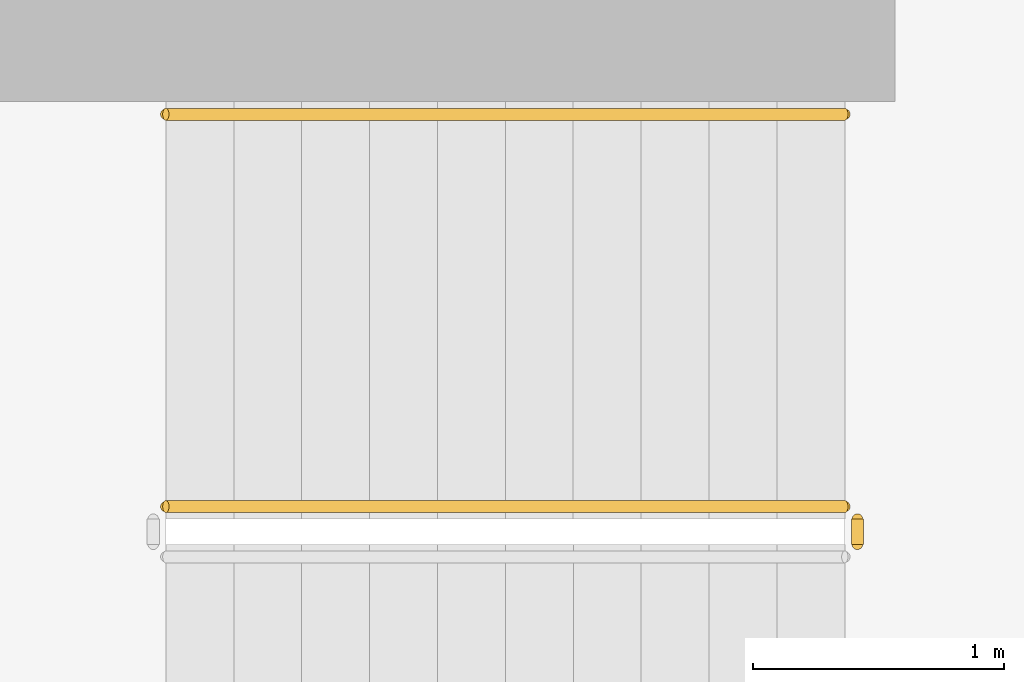
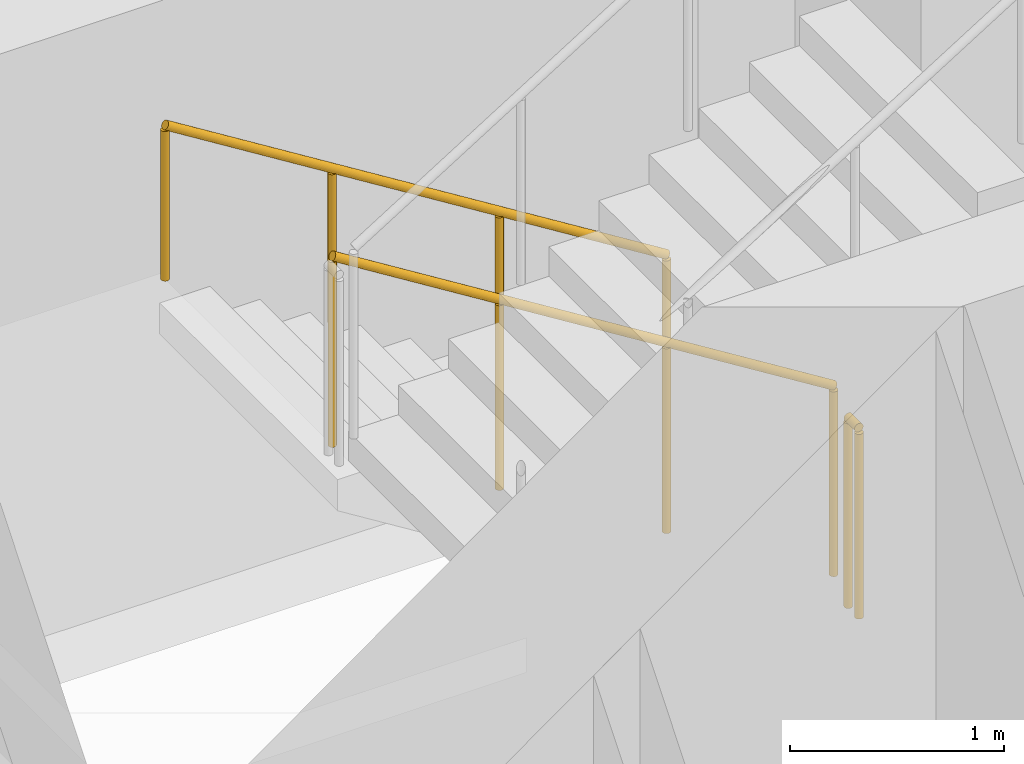
# One storey, part 15 of 16: 3 railings.
"""IFC4 building model written with IfcOpenShell, lengths in metres."""

import ifcopenshell
import ifcopenshell.guid

model = None  # the IFC model being written
_history = None  # IfcOwnerHistory: only IFC2X3 demands one
_inside = {}  # id of a spatial element -> (the spatial element, [elements in it])
_under = {}  # id of a project, library or spatial element -> (it, [spatial elements below it])
_declared = {}  # id of a project -> (the project, [libraries it declares])
_typed = {}  # id of a type object -> (the type object, [elements of that type])
_made_of = {}  # id of a material, layer set ... -> (it, [elements and type objects made of it])


def new_model(schema):
    """Start an empty IFC model of exactly this schema.

    Asked for "IFC4X3", IfcOpenShell would pick the latest addendum, in which some entities
    have other attributes; the version numbers below select the first issue.
    IFC2X3 requires an IfcOwnerHistory on every rooted entity: one is made here for all.
    """
    global model, _history
    if schema == "IFC4X3":
        model = ifcopenshell.file(schema_version=(4, 3, 0, 0))
    else:
        model = ifcopenshell.file(schema=schema)
    _inside.clear()
    _under.clear()
    _declared.clear()
    _typed.clear()
    _made_of.clear()
    _history = None
    if model.schema == "IFC2X3":
        org = make("IfcOrganization", Name="unknown")
        user = make(
            "IfcPersonAndOrganization",
            ThePerson=make("IfcPerson", FamilyName="unknown"),
            TheOrganization=org,
        )
        app = make(
            "IfcApplication",
            ApplicationDeveloper=org,
            Version="unknown",
            ApplicationFullName="unknown",
            ApplicationIdentifier="unknown",
        )
        _history = make(
            "IfcOwnerHistory",
            OwningUser=user,
            OwningApplication=app,
            ChangeAction="ADDED",
            CreationDate=0,
        )
    return model


def make(cls, **values):
    """One entity of the class cls with the attributes given. An attribute that is None is left unset."""
    return model.create_entity(
        cls, **{name: value for name, value in values.items() if value is not None}
    )


def rooted(cls, **values):
    """An entity with a GlobalId (a new one), such as an element, a storey or a relation."""
    return make(cls, GlobalId=ifcopenshell.guid.new(), OwnerHistory=_history, **values)


def si_unit(unit_type, name, prefix=None):
    """IfcSIUnit, for example si_unit("LENGTHUNIT", "METRE", prefix="MILLI")."""
    return make("IfcSIUnit", UnitType=unit_type, Prefix=prefix, Name=name)


def assignment(units):
    """IfcUnitAssignment: the units of a project."""
    return None if units is None else make("IfcUnitAssignment", Units=units)


def point(xyz):
    """IfcCartesianPoint."""
    return None if xyz is None else make("IfcCartesianPoint", Coordinates=xyz)


def direction(xyz):
    """IfcDirection."""
    return None if xyz is None else make("IfcDirection", DirectionRatios=xyz)


def frame(location, z_axis=None, x_axis=None):
    """IfcAxis2Placement3D, a coordinate frame: its origin and axes. An axis left out is left unset."""
    return make(
        "IfcAxis2Placement3D",
        Location=point(location),
        Axis=direction(z_axis),
        RefDirection=direction(x_axis),
    )


def frame_2d(location, x_axis=None):
    """IfcAxis2Placement2D, a coordinate frame in the plane: its origin and x axis."""
    return make(
        "IfcAxis2Placement2D", Location=point(location), RefDirection=direction(x_axis)
    )


def origin():
    """The frame at (0, 0, 0) with its axes left unset."""
    return frame((0.0, 0.0, 0.0))


def origin_2d():
    """The frame at (0, 0) in the plane with its x axis left unset."""
    return frame_2d((0.0, 0.0))


def place(relative_to, where):
    """IfcLocalPlacement: puts the frame where relative to a parent placement (None: the world)."""
    return make(
        "IfcLocalPlacement", PlacementRelTo=relative_to, RelativePlacement=where
    )


def context(
    kind, dimensions, precision=None, world=None, true_north=None, identifier=None
):
    """IfcGeometricRepresentationContext, for example the 3D "Model" context."""
    return make(
        "IfcGeometricRepresentationContext",
        ContextIdentifier=identifier,
        ContextType=kind,
        CoordinateSpaceDimension=dimensions,
        Precision=precision,
        WorldCoordinateSystem=world,
        TrueNorth=true_north,
    )


def subcontext(parent, identifier, kind, view, scale=None):
    """IfcGeometricRepresentationSubContext, for example "Body" below "Model"."""
    return make(
        "IfcGeometricRepresentationSubContext",
        ContextIdentifier=identifier,
        ContextType=kind,
        ParentContext=parent,
        TargetScale=scale,
        TargetView=view,
    )


def project(units=None, contexts=None):
    """IfcProject with its units and contexts."""
    return rooted(
        "IfcProject",
        Name="project",
        RepresentationContexts=contexts,
        UnitsInContext=assignment(units),
    )


def spatial(cls, under=None, at=None, **own):
    """A site, building, storey or space (cls), placed at a placement, below another one or the project."""
    s = rooted(cls, ObjectPlacement=at, **own)
    if under is not None:
        _under.setdefault(under.id(), (under, []))[1].append(s)
    return s


def profile(cls, at=None, kind="AREA", **sizes):
    """A parametric profile (cls). Its sizes go by their IFC names, for example OverallWidth=200.0."""
    return make(cls, ProfileType=kind, Position=at, **sizes)


def circle(**sizes):
    """IfcCircleProfileDef."""
    return profile("IfcCircleProfileDef", **sizes)


def extrude(swept, where, along, depth):
    """IfcExtrudedAreaSolid: the profile swept, set in the frame where, extruded along a direction by depth."""
    return make(
        "IfcExtrudedAreaSolid",
        SweptArea=swept,
        Position=where,
        ExtrudedDirection=direction(along),
        Depth=depth,
    )


def shape(context_of_items, identifier, shape_type, items):
    """IfcShapeRepresentation: the items that make up one representation, for example the "Body"."""
    return make(
        "IfcShapeRepresentation",
        ContextOfItems=context_of_items,
        RepresentationIdentifier=identifier,
        RepresentationType=shape_type,
        Items=items,
    )


def material(Name=None, Category=None):
    """IfcMaterial."""
    return make("IfcMaterial", Name=Name, Category=Category)


def made_of(thing, what):
    """Note that an element or type object is made of a material, layer set ...; save() writes the relation."""
    if what is not None:
        _made_of.setdefault(what.id(), (what, []))[1].append(thing)
    return thing


def type_object(cls, material=None, **own):
    """A type object (cls), such as IfcWallType, which elements share."""
    return made_of(rooted(cls, **own), material)


def element(
    cls,
    number,
    at=None,
    inside=None,
    cuts=None,
    type_object=None,
    material=None,
    context=None,
    identifier="Body",
    shape_type=None,
    held_by="IfcProductDefinitionShape",
    body=None,
    shapes=None,
    **own,
):
    """One element of the class cls, such as IfcWall. Its Tag is "e" and its number.

    at: its placement. inside: the storey or other place that contains it. cuts: it is an
    opening in that element (IfcRelVoidsElement). A single representation is given by context,
    identifier, shape_type and body (its items); several are given by shapes. held_by: the class
    of the entity that holds the representations. save() writes the other relations.
    """
    e = rooted(cls, Tag="e%d" % number, ObjectPlacement=at, **own)
    if body is not None:
        shapes = [shape(context, identifier, shape_type, body)]
    if shapes is not None:
        e.Representation = make(held_by, Representations=shapes)
    if inside is not None:
        _inside.setdefault(inside.id(), (inside, []))[1].append(e)
    if cuts is not None:
        rooted(
            "IfcRelVoidsElement", RelatingBuildingElement=cuts, RelatedOpeningElement=e
        )
    if type_object is not None:
        _typed.setdefault(type_object.id(), (type_object, []))[1].append(e)
    return made_of(e, material)


def aggregate(whole, parts):
    """IfcRelAggregates: a whole, such as a stair, and the parts it consists of."""
    return rooted("IfcRelAggregates", RelatingObject=whole, RelatedObjects=parts)


def save(model, path):
    """Write the relations noted so far, then the file.

    IfcRelAggregates (storeys below a building ...), IfcRelContainedInSpatialStructure (elements
    in a storey), IfcRelDefinesByType, IfcRelAssociatesMaterial and IfcRelDeclares: one each for
    every whole, place, type object, material and project.
    """
    for whole, parts in _under.values():
        aggregate(whole, parts)
    for where, things in _inside.values():
        rooted(
            "IfcRelContainedInSpatialStructure",
            RelatedElements=things,
            RelatingStructure=where,
        )
    for kind, things in _typed.values():
        rooted("IfcRelDefinesByType", RelatedObjects=things, RelatingType=kind)
    for what, things in _made_of.values():
        rooted("IfcRelAssociatesMaterial", RelatedObjects=things, RelatingMaterial=what)
    for by, libraries in _declared.values():
        rooted("IfcRelDeclares", RelatingContext=by, RelatedDefinitions=libraries)
    model.write(path)


model = new_model("IFC4")

# Units and contexts
model_context = context("Model", 3, precision=1e-05, world=origin(), true_north=direction((0.0, 1.0)))
body_context = subcontext(model_context, "Body", "Model", "MODEL_VIEW")
ifc_project = project(units=[si_unit("LENGTHUNIT", "METRE"), si_unit("AREAUNIT", "SQUARE_METRE"), si_unit("VOLUMEUNIT", "CUBIC_METRE"), si_unit("PLANEANGLEUNIT", "RADIAN"), si_unit("MASSUNIT", "GRAM", prefix="KILO")], contexts=[model_context])

# Site, building, storey
site_placement = place(None, origin())
site = spatial("IfcSite", under=ifc_project, at=site_placement, CompositionType="ELEMENT")
building_placement = place(site_placement, origin())
building = spatial("IfcBuilding", under=site, at=building_placement, Name="Vermilion Reach Broadcast Tower", CompositionType="ELEMENT")
storey_placement = place(building_placement, frame((0.0, 0.0, 61.89990234375)))
storey = spatial("IfcBuildingStorey", under=building, at=storey_placement, Name="L12", CompositionType="ELEMENT", Elevation=61.89990234375)

# Railings
ifc_material_1 = material(Name="Stainless steel", Category="steel")
railing_type_1 = type_object("IfcRailingType", Name="Stair guard 1100", PredefinedType="GUARDRAIL", material=ifc_material_1)
railing_1_placement = place(storey_placement, frame((-1.0, 5.68994140625, 0.168212890625)))
element("IfcRailing", 1, at=railing_1_placement, inside=storey, type_object=railing_type_1, Name="L12 ST2 stair guard 1", PredefinedType="GUARDRAIL", context=body_context, shape_type="SweptSolid", body=[
    extrude(circle(Radius=0.02392578125, at=origin_2d()), frame((0.0, 0.0, 1.076171875), z_axis=(-0.848786430784, 0.0, 0.528735846068), x_axis=(0.0, -1.0, 0.0)), (0.0, 0.0, 1.0), 3.180908203125),
    extrude(circle(Radius=0.02099609375, at=origin_2d()), origin(), (0.0, 0.0, 1.0), 1.052001953125),
    extrude(circle(Radius=0.02099609375, at=origin_2d()), frame((-0.89990234375, 0.0, 0.560546875)), (0.0, 0.0, 1.0), 1.052001953125),
    extrude(circle(Radius=0.02099609375, at=origin_2d()), frame((-1.800048828125, 0.0, 1.121337890625)), (0.0, 0.0, 1.0), 1.052001953125),
    extrude(circle(Radius=0.02099609375, at=origin_2d()), frame((-2.699951171875, 0.0, 1.681884765625)), (0.0, 0.0, 1.0), 1.052001953125),
])
railing_2_placement = place(storey_placement, frame((-0.949951171875, 5.639892578125, 0.0)))
element("IfcRailing", 2, at=railing_2_placement, inside=storey, type_object=railing_type_1, Name="L12 ST2 stair guard 4", PredefinedType="GUARDRAIL", context=body_context, shape_type="SweptSolid", body=[
    extrude(circle(Radius=0.02392578125, at=origin_2d()), frame((0.0, 0.0, 1.076171875), z_axis=(0.0, -1.0, 0.0), x_axis=(1.0, 0.0, 0.0)), (0.0, 0.0, 1.0), 0.099853515625),
    extrude(circle(Radius=0.02099609375, at=origin_2d()), origin(), (0.0, 0.0, 1.0), 1.052001953125),
    extrude(circle(Radius=0.02099609375, at=origin_2d()), frame((0.0, -0.099853515625, 0.0)), (0.0, 0.0, 1.0), 1.052001953125),
])
ifc_material_2 = material(Name="Stainless steel", Category="steel")
railing_type_2 = type_object("IfcRailingType", Name="Stair handrail", PredefinedType="HANDRAIL", material=ifc_material_2)
railing_3_placement = place(storey_placement, frame((-1.0, 7.25, 0.168212890625)))
element("IfcRailing", 3, at=railing_3_placement, inside=storey, type_object=railing_type_2, Name="L12 ST2 stair handrail 1", PredefinedType="HANDRAIL", context=body_context, shape_type="SweptSolid", body=[
    extrude(circle(Radius=0.02392578125, at=origin_2d()), frame((0.0, 0.0, 0.8759765625), z_axis=(-0.848786430784, 0.0, 0.528735846068), x_axis=(0.0, -1.0, 0.0)), (0.0, 0.0, 1.0), 3.180908203125),
    extrude(circle(Radius=0.02099609375, at=origin_2d()), origin(), (0.0, 0.0, 1.0), 0.851806640625),
    extrude(circle(Radius=0.02099609375, at=origin_2d()), frame((-0.89990234375, 0.0, 0.560546875)), (0.0, 0.0, 1.0), 0.851806640625),
    extrude(circle(Radius=0.02099609375, at=origin_2d()), frame((-1.800048828125, 0.0, 1.121337890625)), (0.0, 0.0, 1.0), 0.851806640625),
    extrude(circle(Radius=0.02099609375, at=origin_2d()), frame((-2.699951171875, 0.0, 1.681884765625)), (0.0, 0.0, 1.0), 0.851806640625),
])

save(model, "model.ifc")
